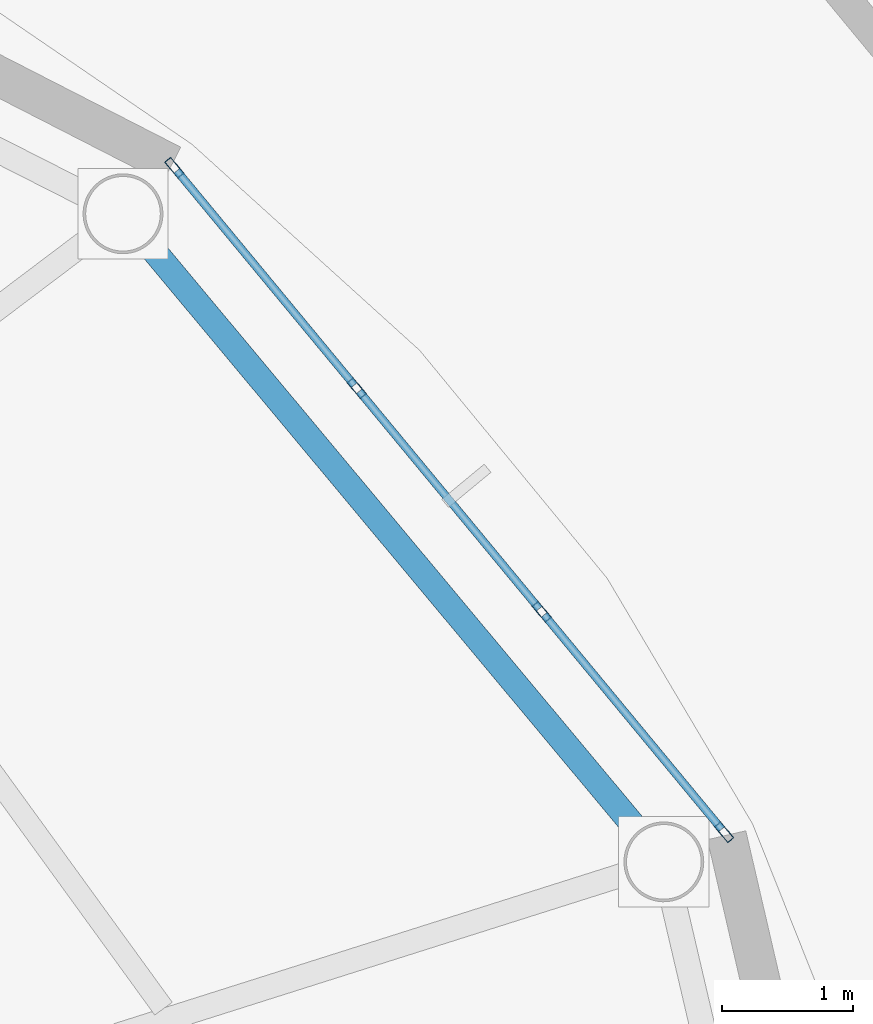
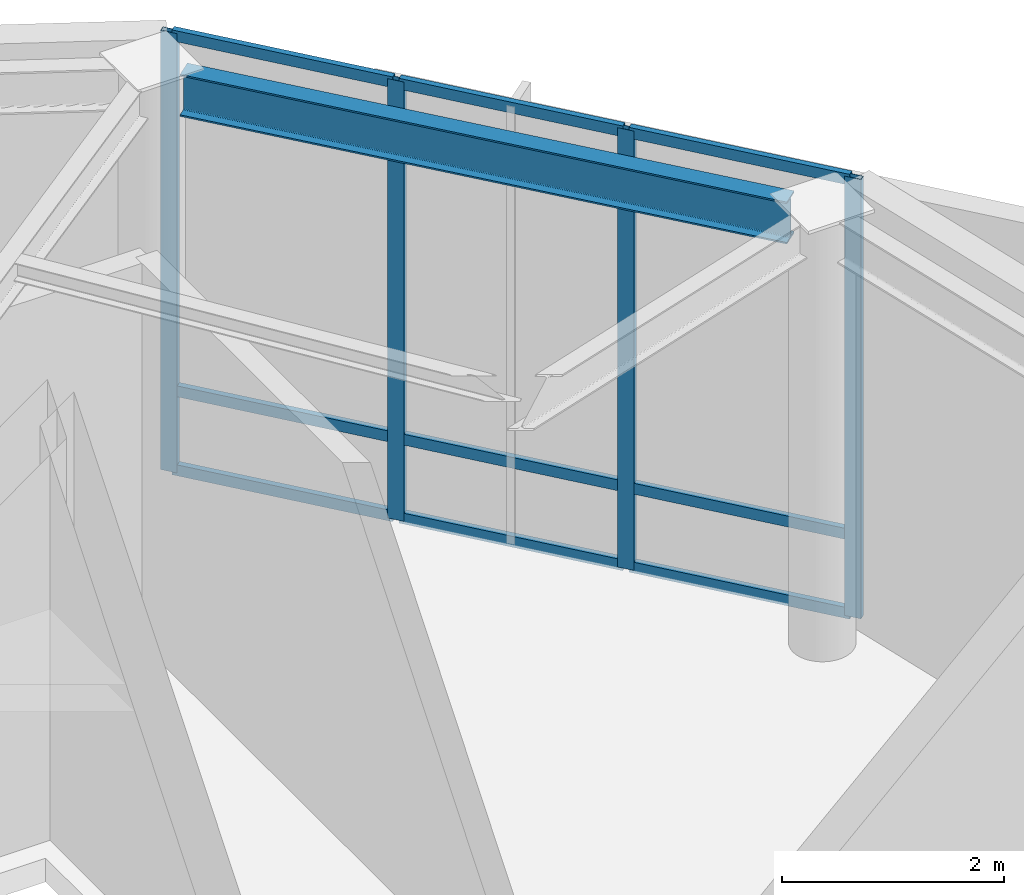
# One storey, part 8 of 15: 13 members, 1 beam, 1 element without a shape of its own.
"""IFC4 building model written with IfcOpenShell, lengths in metres."""

from ifc_helpers import new_model, si_unit, direction, frame, origin, origin_2d, place, context, subcontext, project, spatial, hollow_rectangle, i_section, extrude, material, layer, layer_set, material_profile, profile_set, type_object, element, aggregate, save


model = new_model("IFC4")

# Units and contexts
model_context = context("Model", 3, precision=1e-05, world=origin(), true_north=direction((0.0, 1.0)))
body_context = subcontext(model_context, "Body", "Model", "MODEL_VIEW")
ifc_project = project(units=[si_unit("LENGTHUNIT", "METRE"), si_unit("AREAUNIT", "SQUARE_METRE"), si_unit("VOLUMEUNIT", "CUBIC_METRE"), si_unit("PLANEANGLEUNIT", "RADIAN"), si_unit("MASSUNIT", "GRAM", prefix="KILO")], contexts=[model_context])

# Site, building, storey
site_placement = place(None, origin())
site = spatial("IfcSite", under=ifc_project, at=site_placement, CompositionType="ELEMENT")
building_placement = place(site_placement, origin())
building = spatial("IfcBuilding", under=site, at=building_placement, Name="Sarneth Arch Tower", CompositionType="ELEMENT")
storey_placement = place(building_placement, frame((0.0, 0.0, 316.5)))
storey = spatial("IfcBuildingStorey", under=building, at=storey_placement, Name="L82", CompositionType="ELEMENT", Elevation=316.5)

# Beam
ifc_material_1 = material(Name="Steel S355", Category="steel")
ifc_material_profile_1 = material_profile(ifc_material_1, i_section(OverallWidth=0.19189453125, OverallDepth=0.462890625, WebThickness=0.010498046875, FlangeThickness=0.017578125, FilletRadius=0.01806640625, at=origin_2d()), Name="W460x89")
ifc_profile_set_1 = profile_set([ifc_material_profile_1], Name="Steel S355")
beam_type = type_object("IfcBeamType", Name="BM-RAD-460B", PredefinedType="BEAM", material=ifc_profile_set_1)
beam_placement = place(storey_placement, frame((66.221923828125, 48.070068359375, 4.6083984375), z_axis=(-0.64067411458, 0.767812919211, 0.0), x_axis=(-0.767812919211, -0.64067411458, 0.0)))
element("IfcBeam", 1, at=beam_placement, inside=storey, type_object=beam_type, Name="L82 Perimeter spandrel beam 02", PredefinedType="BEAM", context=body_context, shape_type="SweptSolid", body=[
    extrude(i_section(OverallWidth=0.19189453125, OverallDepth=0.462890625, WebThickness=0.010498046875, FlangeThickness=0.017578125, FilletRadius=0.01806640625, at=origin_2d()), origin(), (0.0, 0.0, 1.0), 5.833740234375),
])

# Curtain wall, members
ifc_material_2 = material(Name="Anodised aluminium Type AA25 and solar-control low-e laminated IGU", Category="aluminium")
ifc_layer = layer(ifc_material_2, 0.18994140625)
ifc_layer_set = layer_set([ifc_layer], Name="Anodised aluminium Type AA25 and solar-control low-e laminated IGU")
curtain_wall_type = type_object("IfcCurtainWallType", Name="CW-CROWN-DRUM", PredefinedType="NOTDEFINED", material=ifc_layer_set)
curtain_wall_placement = place(storey_placement, origin())
curtain_wall = element("IfcCurtainWall", 2, at=curtain_wall_placement, inside=storey, type_object=curtain_wall_type, Name="L82 Unitised curtain wall facet 02", PredefinedType="NOTDEFINED")
ifc_material_3 = material(Name="Anodised Aluminium 6063-T6", Category="aluminium")
ifc_material_profile_2 = material_profile(ifc_material_3, hollow_rectangle(XDim=0.06005859375, YDim=0.159912109375, WallThickness=0.00390625, at=origin_2d()), Name="AL-MULL-160x60x4")
ifc_profile_set_2 = profile_set([ifc_material_profile_2], Name="Anodised Aluminium 6063-T6")
member_type_1 = type_object("IfcMemberType", Name="CW-MULLION", PredefinedType="MULLION", material=ifc_profile_set_2)
member_1_placement = place(storey_placement, frame((66.8779296875, 48.061767578125, 0.0), z_axis=(0.0, 0.0, 1.0), x_axis=(-0.770446291962, -0.637504910728, 0.0)))
member_1 = element("IfcMember", 3, at=member_1_placement, type_object=member_type_1, Name="CW-SYS-7 mullion 1", PredefinedType="MULLION", context=body_context, shape_type="SweptSolid", body=[
    extrude(hollow_rectangle(XDim=0.06005859375, YDim=0.159912109375, WallThickness=0.00390625, at=origin_2d()), origin(), (0.0, 0.0, 1.0), 4.840087890625),
])
member_2_placement = place(storey_placement, frame((65.485107421875, 49.7451171875, 0.0), z_axis=(0.0, 0.0, 1.0), x_axis=(-0.770446291962, -0.637504910728, 0.0)))
member_2 = element("IfcMember", 4, at=member_2_placement, type_object=member_type_1, Name="CW-SYS-7 mullion 2", PredefinedType="MULLION", context=body_context, shape_type="SweptSolid", body=[
    extrude(hollow_rectangle(XDim=0.06005859375, YDim=0.159912109375, WallThickness=0.00390625, at=origin_2d()), origin(), (0.0, 0.0, 1.0), 4.840087890625),
])
member_3_placement = place(storey_placement, frame((64.072998046875, 51.45166015625, 0.0), z_axis=(0.0, 0.0, 1.0), x_axis=(-0.770446291962, -0.637504910728, 0.0)))
member_3 = element("IfcMember", 5, at=member_3_placement, type_object=member_type_1, Name="CW-SYS-7 mullion 3", PredefinedType="MULLION", context=body_context, shape_type="SweptSolid", body=[
    extrude(hollow_rectangle(XDim=0.06005859375, YDim=0.159912109375, WallThickness=0.00390625, at=origin_2d()), origin(), (0.0, 0.0, 1.0), 4.840087890625),
])
member_4_placement = place(storey_placement, frame((62.68017578125, 53.135009765625, 0.0), z_axis=(0.0, 0.0, 1.0), x_axis=(-0.770446291962, -0.637504910728, 0.0)))
member_4 = element("IfcMember", 6, at=member_4_placement, type_object=member_type_1, Name="CW-SYS-7 mullion 4", PredefinedType="MULLION", context=body_context, shape_type="SweptSolid", body=[
    extrude(hollow_rectangle(XDim=0.06005859375, YDim=0.159912109375, WallThickness=0.00390625, at=origin_2d()), origin(), (0.0, 0.0, 1.0), 4.840087890625),
])
ifc_material_4 = material(Name="Anodised Aluminium 6063-T6", Category="aluminium")
ifc_material_profile_3 = material_profile(ifc_material_4, hollow_rectangle(XDim=0.06005859375, YDim=0.1201171875, WallThickness=0.00390625, at=origin_2d()), Name="AL-TRAN-120x60x4")
ifc_profile_set_3 = profile_set([ifc_material_profile_3], Name="Anodised Aluminium 6063-T6")
member_type_2 = type_object("IfcMemberType", Name="CW-TRANSOM", PredefinedType="USERDEFINED", material=ifc_profile_set_3)
member_5_placement = place(storey_placement, frame((66.85888671875, 48.0849609375, 0.030029296875), z_axis=(-0.637513633204, 0.770439074476, 0.0), x_axis=(-0.770439074476, -0.637513633204, 0.0)))
member_5 = element("IfcMember", 7, at=member_5_placement, type_object=member_type_2, Name="CW-SYS-7 transom 1.1", ObjectType="TRANSOM", PredefinedType="USERDEFINED", context=body_context, shape_type="SweptSolid", body=[
    extrude(hollow_rectangle(XDim=0.06005859375, YDim=0.1201171875, WallThickness=0.00390625, at=origin_2d()), origin(), (0.0, 0.0, 1.0), 2.125),
])
member_6_placement = place(storey_placement, frame((66.85888671875, 48.0849609375, 0.89990234375), z_axis=(-0.637513633204, 0.770439074476, 0.0), x_axis=(-0.770439074476, -0.637513633204, 0.0)))
member_6 = element("IfcMember", 8, at=member_6_placement, type_object=member_type_2, Name="CW-SYS-7 transom 1.2", ObjectType="TRANSOM", PredefinedType="USERDEFINED", context=body_context, shape_type="SweptSolid", body=[
    extrude(hollow_rectangle(XDim=0.06005859375, YDim=0.1201171875, WallThickness=0.00390625, at=origin_2d()), origin(), (0.0, 0.0, 1.0), 2.125),
])
member_7_placement = place(storey_placement, frame((66.85888671875, 48.0849609375, 4.81005859375), z_axis=(-0.637513633204, 0.770439074476, 0.0), x_axis=(-0.770439074476, -0.637513633204, 0.0)))
member_7 = element("IfcMember", 9, at=member_7_placement, type_object=member_type_2, Name="CW-SYS-7 transom 1.3", ObjectType="TRANSOM", PredefinedType="USERDEFINED", context=body_context, shape_type="SweptSolid", body=[
    extrude(hollow_rectangle(XDim=0.06005859375, YDim=0.1201171875, WallThickness=0.00390625, at=origin_2d()), origin(), (0.0, 0.0, 1.0), 2.125),
])
member_8_placement = place(storey_placement, frame((65.466064453125, 49.768310546875, 0.030029296875), z_axis=(-0.637528294743, 0.770426942287, 0.0), x_axis=(-0.770426942287, -0.637528294743, 0.0)))
member_8 = element("IfcMember", 10, at=member_8_placement, type_object=member_type_2, Name="CW-SYS-7 transom 2.1", ObjectType="TRANSOM", PredefinedType="USERDEFINED", context=body_context, shape_type="SweptSolid", body=[
    extrude(hollow_rectangle(XDim=0.06005859375, YDim=0.1201171875, WallThickness=0.00390625, at=origin_2d()), origin(), (0.0, 0.0, 1.0), 2.15478515625),
])
member_9_placement = place(storey_placement, frame((65.466064453125, 49.768310546875, 0.89990234375), z_axis=(-0.637528294743, 0.770426942287, 0.0), x_axis=(-0.770426942287, -0.637528294743, 0.0)))
member_9 = element("IfcMember", 11, at=member_9_placement, type_object=member_type_2, Name="CW-SYS-7 transom 2.2", ObjectType="TRANSOM", PredefinedType="USERDEFINED", context=body_context, shape_type="SweptSolid", body=[
    extrude(hollow_rectangle(XDim=0.06005859375, YDim=0.1201171875, WallThickness=0.00390625, at=origin_2d()), origin(), (0.0, 0.0, 1.0), 2.15478515625),
])
member_10_placement = place(storey_placement, frame((65.466064453125, 49.768310546875, 4.81005859375), z_axis=(-0.637528294743, 0.770426942287, 0.0), x_axis=(-0.770426942287, -0.637528294743, 0.0)))
member_10 = element("IfcMember", 12, at=member_10_placement, type_object=member_type_2, Name="CW-SYS-7 transom 2.3", ObjectType="TRANSOM", PredefinedType="USERDEFINED", context=body_context, shape_type="SweptSolid", body=[
    extrude(hollow_rectangle(XDim=0.06005859375, YDim=0.1201171875, WallThickness=0.00390625, at=origin_2d()), origin(), (0.0, 0.0, 1.0), 2.15478515625),
])
member_11_placement = place(storey_placement, frame((64.053955078125, 51.474853515625, 0.030029296875), z_axis=(-0.637570065512, 0.770392375068, 0.0), x_axis=(-0.770392375068, -0.637570065512, 0.0)))
member_11 = element("IfcMember", 13, at=member_11_placement, type_object=member_type_2, Name="CW-SYS-7 transom 3.1", ObjectType="TRANSOM", PredefinedType="USERDEFINED", context=body_context, shape_type="SweptSolid", body=[
    extrude(hollow_rectangle(XDim=0.06005859375, YDim=0.1201171875, WallThickness=0.00390625, at=origin_2d()), origin(), (0.0, 0.0, 1.0), 2.124755859375),
])
member_12_placement = place(storey_placement, frame((64.053955078125, 51.474853515625, 0.89990234375), z_axis=(-0.637570065512, 0.770392375068, 0.0), x_axis=(-0.770392375068, -0.637570065512, 0.0)))
member_12 = element("IfcMember", 14, at=member_12_placement, type_object=member_type_2, Name="CW-SYS-7 transom 3.2", ObjectType="TRANSOM", PredefinedType="USERDEFINED", context=body_context, shape_type="SweptSolid", body=[
    extrude(hollow_rectangle(XDim=0.06005859375, YDim=0.1201171875, WallThickness=0.00390625, at=origin_2d()), origin(), (0.0, 0.0, 1.0), 2.124755859375),
])
member_13_placement = place(storey_placement, frame((64.053955078125, 51.474853515625, 4.81005859375), z_axis=(-0.637570065512, 0.770392375068, 0.0), x_axis=(-0.770392375068, -0.637570065512, 0.0)))
member_13 = element("IfcMember", 15, at=member_13_placement, type_object=member_type_2, Name="CW-SYS-7 transom 3.3", ObjectType="TRANSOM", PredefinedType="USERDEFINED", context=body_context, shape_type="SweptSolid", body=[
    extrude(hollow_rectangle(XDim=0.06005859375, YDim=0.1201171875, WallThickness=0.00390625, at=origin_2d()), origin(), (0.0, 0.0, 1.0), 2.124755859375),
])
aggregate(curtain_wall, [member_1, member_2, member_3, member_4, member_5, member_6, member_7, member_8, member_9, member_10, member_11, member_12, member_13])

save(model, "model.ifc")
